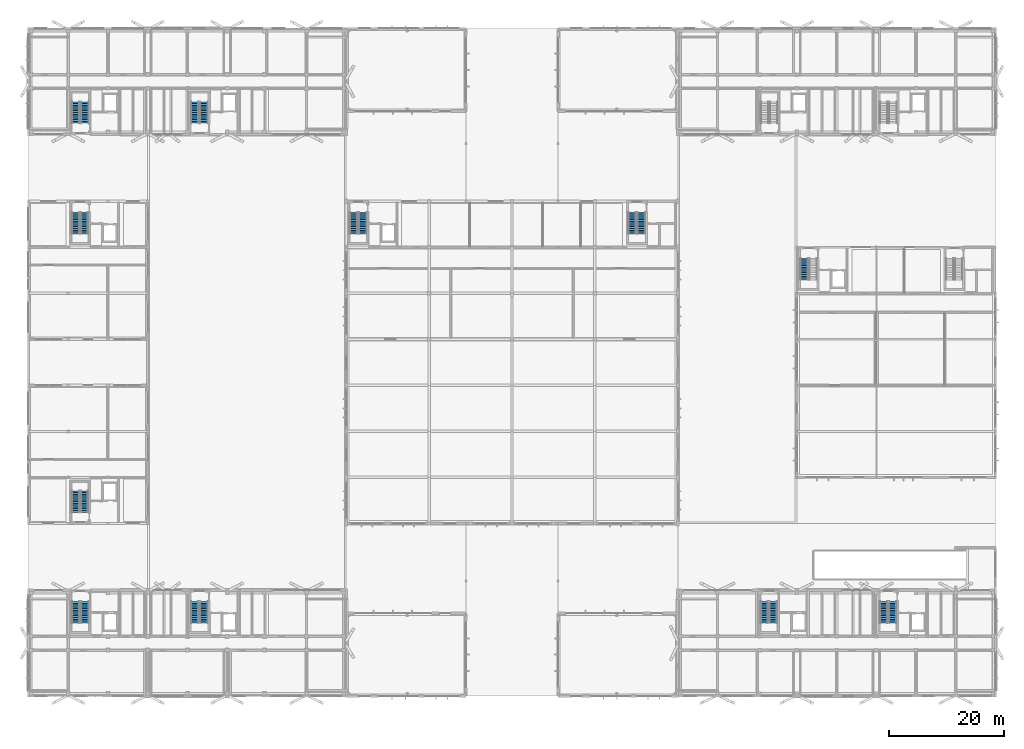
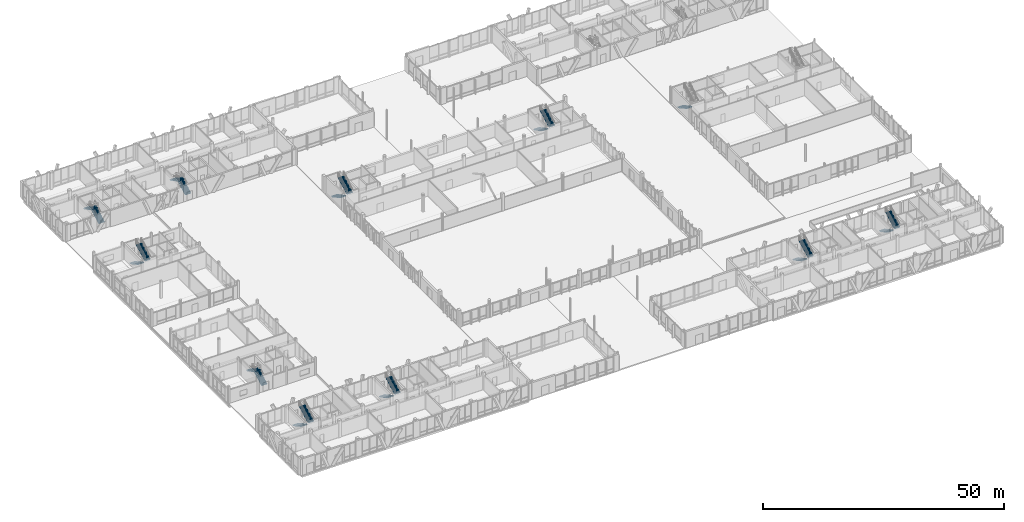
# One storey, part 206 of 233: 21 stair flights, 11 elements without a shape of their own.
"""IFC4 building model written with IfcOpenShell, lengths in metres."""

import ifcopenshell
import ifcopenshell.guid

model = None  # the IFC model being written
_history = None  # IfcOwnerHistory: only IFC2X3 demands one
_inside = {}  # id of a spatial element -> (the spatial element, [elements in it])
_under = {}  # id of a project, library or spatial element -> (it, [spatial elements below it])
_declared = {}  # id of a project -> (the project, [libraries it declares])
_typed = {}  # id of a type object -> (the type object, [elements of that type])
_made_of = {}  # id of a material, layer set ... -> (it, [elements and type objects made of it])


def new_model(schema):
    """Start an empty IFC model of exactly this schema.

    Asked for "IFC4X3", IfcOpenShell would pick the latest addendum, in which some entities
    have other attributes; the version numbers below select the first issue.
    IFC2X3 requires an IfcOwnerHistory on every rooted entity: one is made here for all.
    """
    global model, _history
    if schema == "IFC4X3":
        model = ifcopenshell.file(schema_version=(4, 3, 0, 0))
    else:
        model = ifcopenshell.file(schema=schema)
    _inside.clear()
    _under.clear()
    _declared.clear()
    _typed.clear()
    _made_of.clear()
    _history = None
    if model.schema == "IFC2X3":
        org = make("IfcOrganization", Name="unknown")
        user = make(
            "IfcPersonAndOrganization",
            ThePerson=make("IfcPerson", FamilyName="unknown"),
            TheOrganization=org,
        )
        app = make(
            "IfcApplication",
            ApplicationDeveloper=org,
            Version="unknown",
            ApplicationFullName="unknown",
            ApplicationIdentifier="unknown",
        )
        _history = make(
            "IfcOwnerHistory",
            OwningUser=user,
            OwningApplication=app,
            ChangeAction="ADDED",
            CreationDate=0,
        )
    return model


def make(cls, **values):
    """One entity of the class cls with the attributes given. An attribute that is None is left unset."""
    return model.create_entity(
        cls, **{name: value for name, value in values.items() if value is not None}
    )


def rooted(cls, **values):
    """An entity with a GlobalId (a new one), such as an element, a storey or a relation."""
    return make(cls, GlobalId=ifcopenshell.guid.new(), OwnerHistory=_history, **values)


def si_unit(unit_type, name, prefix=None):
    """IfcSIUnit, for example si_unit("LENGTHUNIT", "METRE", prefix="MILLI")."""
    return make("IfcSIUnit", UnitType=unit_type, Prefix=prefix, Name=name)


def assignment(units):
    """IfcUnitAssignment: the units of a project."""
    return None if units is None else make("IfcUnitAssignment", Units=units)


def point(xyz):
    """IfcCartesianPoint."""
    return None if xyz is None else make("IfcCartesianPoint", Coordinates=xyz)


def direction(xyz):
    """IfcDirection."""
    return None if xyz is None else make("IfcDirection", DirectionRatios=xyz)


def frame(location, z_axis=None, x_axis=None):
    """IfcAxis2Placement3D, a coordinate frame: its origin and axes. An axis left out is left unset."""
    return make(
        "IfcAxis2Placement3D",
        Location=point(location),
        Axis=direction(z_axis),
        RefDirection=direction(x_axis),
    )


def origin():
    """The frame at (0, 0, 0) with its axes left unset."""
    return frame((0.0, 0.0, 0.0))


def place(relative_to, where):
    """IfcLocalPlacement: puts the frame where relative to a parent placement (None: the world)."""
    return make(
        "IfcLocalPlacement", PlacementRelTo=relative_to, RelativePlacement=where
    )


def context(
    kind, dimensions, precision=None, world=None, true_north=None, identifier=None
):
    """IfcGeometricRepresentationContext, for example the 3D "Model" context."""
    return make(
        "IfcGeometricRepresentationContext",
        ContextIdentifier=identifier,
        ContextType=kind,
        CoordinateSpaceDimension=dimensions,
        Precision=precision,
        WorldCoordinateSystem=world,
        TrueNorth=true_north,
    )


def subcontext(parent, identifier, kind, view, scale=None):
    """IfcGeometricRepresentationSubContext, for example "Body" below "Model"."""
    return make(
        "IfcGeometricRepresentationSubContext",
        ContextIdentifier=identifier,
        ContextType=kind,
        ParentContext=parent,
        TargetScale=scale,
        TargetView=view,
    )


def project(units=None, contexts=None):
    """IfcProject with its units and contexts."""
    return rooted(
        "IfcProject",
        Name="project",
        RepresentationContexts=contexts,
        UnitsInContext=assignment(units),
    )


def spatial(cls, under=None, at=None, **own):
    """A site, building, storey or space (cls), placed at a placement, below another one or the project."""
    s = rooted(cls, ObjectPlacement=at, **own)
    if under is not None:
        _under.setdefault(under.id(), (under, []))[1].append(s)
    return s


def polyline(points):
    """IfcPolyline through the points."""
    return make("IfcPolyline", Points=[point(p) for p in points])


def outline(outer, holes=None, kind="AREA"):
    """IfcArbitraryClosedProfileDef: a profile drawn as a closed curve; with holes, ...WithVoids."""
    if holes is None:
        return make("IfcArbitraryClosedProfileDef", ProfileType=kind, OuterCurve=outer)
    return make(
        "IfcArbitraryProfileDefWithVoids",
        ProfileType=kind,
        OuterCurve=outer,
        InnerCurves=holes,
    )


def extrude(swept, where, along, depth):
    """IfcExtrudedAreaSolid: the profile swept, set in the frame where, extruded along a direction by depth."""
    return make(
        "IfcExtrudedAreaSolid",
        SweptArea=swept,
        Position=where,
        ExtrudedDirection=direction(along),
        Depth=depth,
    )


def shape(context_of_items, identifier, shape_type, items):
    """IfcShapeRepresentation: the items that make up one representation, for example the "Body"."""
    return make(
        "IfcShapeRepresentation",
        ContextOfItems=context_of_items,
        RepresentationIdentifier=identifier,
        RepresentationType=shape_type,
        Items=items,
    )


def material(Name=None, Category=None):
    """IfcMaterial."""
    return make("IfcMaterial", Name=Name, Category=Category)


def made_of(thing, what):
    """Note that an element or type object is made of a material, layer set ...; save() writes the relation."""
    if what is not None:
        _made_of.setdefault(what.id(), (what, []))[1].append(thing)
    return thing


def type_object(cls, material=None, **own):
    """A type object (cls), such as IfcWallType, which elements share."""
    return made_of(rooted(cls, **own), material)


def element(
    cls,
    number,
    at=None,
    inside=None,
    cuts=None,
    type_object=None,
    material=None,
    context=None,
    identifier="Body",
    shape_type=None,
    held_by="IfcProductDefinitionShape",
    body=None,
    shapes=None,
    **own,
):
    """One element of the class cls, such as IfcWall. Its Tag is "e" and its number.

    at: its placement. inside: the storey or other place that contains it. cuts: it is an
    opening in that element (IfcRelVoidsElement). A single representation is given by context,
    identifier, shape_type and body (its items); several are given by shapes. held_by: the class
    of the entity that holds the representations. save() writes the other relations.
    """
    e = rooted(cls, Tag="e%d" % number, ObjectPlacement=at, **own)
    if body is not None:
        shapes = [shape(context, identifier, shape_type, body)]
    if shapes is not None:
        e.Representation = make(held_by, Representations=shapes)
    if inside is not None:
        _inside.setdefault(inside.id(), (inside, []))[1].append(e)
    if cuts is not None:
        rooted(
            "IfcRelVoidsElement", RelatingBuildingElement=cuts, RelatedOpeningElement=e
        )
    if type_object is not None:
        _typed.setdefault(type_object.id(), (type_object, []))[1].append(e)
    return made_of(e, material)


def aggregate(whole, parts):
    """IfcRelAggregates: a whole, such as a stair, and the parts it consists of."""
    return rooted("IfcRelAggregates", RelatingObject=whole, RelatedObjects=parts)


def save(model, path):
    """Write the relations noted so far, then the file.

    IfcRelAggregates (storeys below a building ...), IfcRelContainedInSpatialStructure (elements
    in a storey), IfcRelDefinesByType, IfcRelAssociatesMaterial and IfcRelDeclares: one each for
    every whole, place, type object, material and project.
    """
    for whole, parts in _under.values():
        aggregate(whole, parts)
    for where, things in _inside.values():
        rooted(
            "IfcRelContainedInSpatialStructure",
            RelatedElements=things,
            RelatingStructure=where,
        )
    for kind, things in _typed.values():
        rooted("IfcRelDefinesByType", RelatedObjects=things, RelatingType=kind)
    for what, things in _made_of.values():
        rooted("IfcRelAssociatesMaterial", RelatedObjects=things, RelatingMaterial=what)
    for by, libraries in _declared.values():
        rooted("IfcRelDeclares", RelatingContext=by, RelatedDefinitions=libraries)
    model.write(path)


model = new_model("IFC4")

# Units and contexts
model_context = context("Model", 3, precision=1e-05, world=origin(), true_north=direction((0.0, 1.0)))
body_context = subcontext(model_context, "Body", "Model", "MODEL_VIEW")
ifc_project = project(units=[si_unit("LENGTHUNIT", "METRE"), si_unit("AREAUNIT", "SQUARE_METRE"), si_unit("VOLUMEUNIT", "CUBIC_METRE"), si_unit("PLANEANGLEUNIT", "RADIAN"), si_unit("MASSUNIT", "GRAM", prefix="KILO")], contexts=[model_context])

# Site, building, storey
site_placement = place(None, origin())
site = spatial("IfcSite", under=ifc_project, at=site_placement, CompositionType="ELEMENT")
building_placement = place(site_placement, origin())
building = spatial("IfcBuilding", under=site, at=building_placement, Name="Zavelmont Quarter", CompositionType="ELEMENT")
storey_placement = place(building_placement, origin())
storey = spatial("IfcBuildingStorey", under=building, at=storey_placement, Name="L00", CompositionType="ELEMENT", Elevation=0.0)

# Stair, stair flights
ifc_material = material(Name="Concrete C35/45", Category="concrete")
stair_type_1 = type_object("IfcStairType", Name="STR-1350-1692", PredefinedType="HALF_TURN_STAIR", material=ifc_material)
stair_1_placement = place(storey_placement, origin())
stair_1 = element("IfcStair", 1, at=stair_1_placement, inside=storey, type_object=stair_type_1, Name="L00 protected stair ST07", PredefinedType="HALF_TURN_STAIR")
stair_flight_type_1 = type_object("IfcStairFlightType", Name="STF-1350-1692", PredefinedType="STRAIGHT", material=ifc_material)
stair_flight_1_placement = place(storey_placement, frame((127.875, 16.449951171875, 0.0), z_axis=(0.0, 0.0, 1.0), x_axis=(0.0, -1.0, 0.0)))
stair_flight_1 = element("IfcStairFlight", 2, at=stair_flight_1_placement, type_object=stair_flight_type_1, Name="ST07 flight 1", NumberOfRisers=13, NumberOfTreads=12, PredefinedType="STRAIGHT", RiserHeight=0.169230769, TreadLength=0.31, context=body_context, shape_type="SweptSolid", body=[
    extrude(outline(polyline([(0.0, 0.0), (0.0, 0.169189453125), (0.31005859375, 0.169189453125), (0.31005859375, 0.33837890625), (0.6201171875, 0.33837890625), (0.6201171875, 0.5078125), (0.929931640625, 0.5078125), (0.929931640625, 0.677001953125), (1.239990234375, 0.677001953125), (1.239990234375, 0.84619140625), (1.550048828125, 0.84619140625), (1.550048828125, 1.015380859375), (1.860107421875, 1.015380859375), (1.860107421875, 1.1845703125), (2.169921875, 1.1845703125), (2.169921875, 1.353759765625), (2.47998046875, 1.353759765625), (2.47998046875, 1.523193359375), (2.7900390625, 1.523193359375), (2.7900390625, 1.6923828125), (3.10009765625, 1.6923828125), (3.10009765625, 1.861572265625), (3.409912109375, 1.861572265625), (3.409912109375, 2.03076171875), (3.719970703125, 2.03076171875), (3.719970703125, 2.199951171875), (3.719970703125, 1.8486328125), (0.333740234375, 0.0), (0.0, 0.0)])), frame((0.0, 0.675048828125, 0.0), z_axis=(0.0, -1.0, 0.0), x_axis=(1.0, 0.0, 0.0)), (0.0, 0.0, 1.0), 1.35009765625),
])
stair_flight_2_placement = place(storey_placement, frame((129.425048828125, 12.72998046875, 2.199951171875), z_axis=(0.0, 0.0, 1.0), x_axis=(0.0, 1.0, 0.0)))
stair_flight_2 = element("IfcStairFlight", 3, at=stair_flight_2_placement, type_object=stair_flight_type_1, Name="ST07 flight 2", NumberOfRisers=13, NumberOfTreads=12, PredefinedType="STRAIGHT", RiserHeight=0.169230769, TreadLength=0.31, context=body_context, shape_type="SweptSolid", body=[
    extrude(outline(polyline([(0.0, 0.0), (0.0, 0.169189453125), (0.31005859375, 0.169189453125), (0.31005859375, 0.33837890625), (0.6201171875, 0.33837890625), (0.6201171875, 0.5078125), (0.929931640625, 0.5078125), (0.929931640625, 0.677001953125), (1.239990234375, 0.677001953125), (1.239990234375, 0.84619140625), (1.550048828125, 0.84619140625), (1.550048828125, 1.015380859375), (1.860107421875, 1.015380859375), (1.860107421875, 1.1845703125), (2.169921875, 1.1845703125), (2.169921875, 1.353759765625), (2.47998046875, 1.353759765625), (2.47998046875, 1.523193359375), (2.7900390625, 1.523193359375), (2.7900390625, 1.6923828125), (3.10009765625, 1.6923828125), (3.10009765625, 1.861572265625), (3.409912109375, 1.861572265625), (3.409912109375, 2.03076171875), (3.719970703125, 2.03076171875), (3.719970703125, 2.199951171875), (3.719970703125, 1.8486328125), (0.333740234375, 0.0), (0.0, 0.0)])), frame((0.0, 0.675048828125, 0.0), z_axis=(0.0, -1.0, 0.0), x_axis=(1.0, 0.0, 0.0)), (0.0, 0.0, 1.0), 1.35009765625),
])
aggregate(stair_1, [stair_flight_1, stair_flight_2])

stair_2_placement = place(storey_placement, origin())
stair_2 = element("IfcStair", 4, at=stair_2_placement, inside=storey, type_object=stair_type_1, Name="L00 protected stair ST08", PredefinedType="HALF_TURN_STAIR")
stair_flight_3_placement = place(storey_placement, frame((148.574951171875, 16.449951171875, 0.0), z_axis=(0.0, 0.0, 1.0), x_axis=(0.0, -1.0, 0.0)))
stair_flight_3 = element("IfcStairFlight", 5, at=stair_flight_3_placement, type_object=stair_flight_type_1, Name="ST08 flight 1", NumberOfRisers=13, NumberOfTreads=12, PredefinedType="STRAIGHT", RiserHeight=0.169230769, TreadLength=0.31, context=body_context, shape_type="SweptSolid", body=[
    extrude(outline(polyline([(0.0, 0.0), (0.0, 0.169189453125), (0.31005859375, 0.169189453125), (0.31005859375, 0.33837890625), (0.6201171875, 0.33837890625), (0.6201171875, 0.5078125), (0.929931640625, 0.5078125), (0.929931640625, 0.677001953125), (1.239990234375, 0.677001953125), (1.239990234375, 0.84619140625), (1.550048828125, 0.84619140625), (1.550048828125, 1.015380859375), (1.860107421875, 1.015380859375), (1.860107421875, 1.1845703125), (2.169921875, 1.1845703125), (2.169921875, 1.353759765625), (2.47998046875, 1.353759765625), (2.47998046875, 1.523193359375), (2.7900390625, 1.523193359375), (2.7900390625, 1.6923828125), (3.10009765625, 1.6923828125), (3.10009765625, 1.861572265625), (3.409912109375, 1.861572265625), (3.409912109375, 2.03076171875), (3.719970703125, 2.03076171875), (3.719970703125, 2.199951171875), (3.719970703125, 1.8486328125), (0.333740234375, 0.0), (0.0, 0.0)])), frame((0.0, 0.675048828125, 0.0), z_axis=(0.0, -1.0, 0.0), x_axis=(1.0, 0.0, 0.0)), (0.0, 0.0, 1.0), 1.35009765625),
])
stair_flight_4_placement = place(storey_placement, frame((150.125, 12.72998046875, 2.199951171875), z_axis=(0.0, 0.0, 1.0), x_axis=(0.0, 1.0, 0.0)))
stair_flight_4 = element("IfcStairFlight", 6, at=stair_flight_4_placement, type_object=stair_flight_type_1, Name="ST08 flight 2", NumberOfRisers=13, NumberOfTreads=12, PredefinedType="STRAIGHT", RiserHeight=0.169230769, TreadLength=0.31, context=body_context, shape_type="SweptSolid", body=[
    extrude(outline(polyline([(0.0, 0.0), (0.0, 0.169189453125), (0.31005859375, 0.169189453125), (0.31005859375, 0.33837890625), (0.6201171875, 0.33837890625), (0.6201171875, 0.5078125), (0.929931640625, 0.5078125), (0.929931640625, 0.677001953125), (1.239990234375, 0.677001953125), (1.239990234375, 0.84619140625), (1.550048828125, 0.84619140625), (1.550048828125, 1.015380859375), (1.860107421875, 1.015380859375), (1.860107421875, 1.1845703125), (2.169921875, 1.1845703125), (2.169921875, 1.353759765625), (2.47998046875, 1.353759765625), (2.47998046875, 1.523193359375), (2.7900390625, 1.523193359375), (2.7900390625, 1.6923828125), (3.10009765625, 1.6923828125), (3.10009765625, 1.861572265625), (3.409912109375, 1.861572265625), (3.409912109375, 2.03076171875), (3.719970703125, 2.03076171875), (3.719970703125, 2.199951171875), (3.719970703125, 1.8486328125), (0.333740234375, 0.0), (0.0, 0.0)])), frame((0.0, 0.675048828125, 0.0), z_axis=(0.0, -1.0, 0.0), x_axis=(1.0, 0.0, 0.0)), (0.0, 0.0, 1.0), 1.35009765625),
])
aggregate(stair_2, [stair_flight_3, stair_flight_4])

# Stair, stair flight
stair_3_placement = place(storey_placement, origin())
stair_3 = element("IfcStair", 7, at=stair_3_placement, inside=storey, type_object=stair_type_1, Name="L00 protected stair ST11", PredefinedType="HALF_TURN_STAIR")
stair_flight_5_placement = place(storey_placement, frame((134.77490234375, 76.050048828125, 0.0), z_axis=(0.0, 0.0, 1.0), x_axis=(0.0, -1.0, 0.0)))
stair_flight_5 = element("IfcStairFlight", 8, at=stair_flight_5_placement, type_object=stair_flight_type_1, Name="ST11 flight 1", NumberOfRisers=13, NumberOfTreads=12, PredefinedType="STRAIGHT", RiserHeight=0.169230769, TreadLength=0.31, context=body_context, shape_type="SweptSolid", body=[
    extrude(outline(polyline([(0.0, 0.0), (0.0, 0.169189453125), (0.31005859375, 0.169189453125), (0.31005859375, 0.33837890625), (0.6201171875, 0.33837890625), (0.6201171875, 0.5078125), (0.929931640625, 0.5078125), (0.929931640625, 0.677001953125), (1.239990234375, 0.677001953125), (1.239990234375, 0.84619140625), (1.550048828125, 0.84619140625), (1.550048828125, 1.015380859375), (1.860107421875, 1.015380859375), (1.860107421875, 1.1845703125), (2.169921875, 1.1845703125), (2.169921875, 1.353759765625), (2.47998046875, 1.353759765625), (2.47998046875, 1.523193359375), (2.7900390625, 1.523193359375), (2.7900390625, 1.6923828125), (3.10009765625, 1.6923828125), (3.10009765625, 1.861572265625), (3.409912109375, 1.861572265625), (3.409912109375, 2.03076171875), (3.719970703125, 2.03076171875), (3.719970703125, 2.199951171875), (3.719970703125, 1.8486328125), (0.333740234375, 0.0), (0.0, 0.0)])), frame((0.0, 0.675048828125, 0.0), z_axis=(0.0, -1.0, 0.0), x_axis=(1.0, 0.0, 0.0)), (0.0, 0.0, 1.0), 1.35009765625),
])
aggregate(stair_3, [stair_flight_5])

# Stair, stair flights
stair_4_placement = place(storey_placement, origin())
stair_4 = element("IfcStair", 9, at=stair_4_placement, inside=storey, type_object=stair_type_1, Name="L00 protected stair ST13", PredefinedType="HALF_TURN_STAIR")
stair_flight_6_placement = place(storey_placement, frame((9.72509765625, 31.949951171875, 0.0), z_axis=(0.0, 0.0, 1.0), x_axis=(0.0, 1.0, 0.0)))
stair_flight_6 = element("IfcStairFlight", 10, at=stair_flight_6_placement, type_object=stair_flight_type_1, Name="ST13 flight 1", NumberOfRisers=13, NumberOfTreads=12, PredefinedType="STRAIGHT", RiserHeight=0.169230769, TreadLength=0.31, context=body_context, shape_type="SweptSolid", body=[
    extrude(outline(polyline([(0.0, 0.0), (0.0, 0.169189453125), (0.31005859375, 0.169189453125), (0.31005859375, 0.33837890625), (0.6201171875, 0.33837890625), (0.6201171875, 0.5078125), (0.929931640625, 0.5078125), (0.929931640625, 0.677001953125), (1.239990234375, 0.677001953125), (1.239990234375, 0.84619140625), (1.550048828125, 0.84619140625), (1.550048828125, 1.015380859375), (1.860107421875, 1.015380859375), (1.860107421875, 1.1845703125), (2.169921875, 1.1845703125), (2.169921875, 1.353759765625), (2.47998046875, 1.353759765625), (2.47998046875, 1.523193359375), (2.7900390625, 1.523193359375), (2.7900390625, 1.6923828125), (3.10009765625, 1.6923828125), (3.10009765625, 1.861572265625), (3.409912109375, 1.861572265625), (3.409912109375, 2.03076171875), (3.719970703125, 2.03076171875), (3.719970703125, 2.199951171875), (3.719970703125, 1.8486328125), (0.333740234375, 0.0), (0.0, 0.0)])), frame((0.0, 0.675048828125, 0.0), z_axis=(0.0, -1.0, 0.0), x_axis=(1.0, 0.0, 0.0)), (0.0, 0.0, 1.0), 1.35009765625),
])
stair_flight_7_placement = place(storey_placement, frame((8.175048828125, 35.669921875, 2.199951171875), z_axis=(0.0, 0.0, 1.0), x_axis=(0.0, -1.0, 0.0)))
stair_flight_7 = element("IfcStairFlight", 11, at=stair_flight_7_placement, type_object=stair_flight_type_1, Name="ST13 flight 2", NumberOfRisers=13, NumberOfTreads=12, PredefinedType="STRAIGHT", RiserHeight=0.169230769, TreadLength=0.31, context=body_context, shape_type="SweptSolid", body=[
    extrude(outline(polyline([(0.0, 0.0), (0.0, 0.169189453125), (0.31005859375, 0.169189453125), (0.31005859375, 0.33837890625), (0.6201171875, 0.33837890625), (0.6201171875, 0.5078125), (0.929931640625, 0.5078125), (0.929931640625, 0.677001953125), (1.239990234375, 0.677001953125), (1.239990234375, 0.84619140625), (1.550048828125, 0.84619140625), (1.550048828125, 1.015380859375), (1.860107421875, 1.015380859375), (1.860107421875, 1.1845703125), (2.169921875, 1.1845703125), (2.169921875, 1.353759765625), (2.47998046875, 1.353759765625), (2.47998046875, 1.523193359375), (2.7900390625, 1.523193359375), (2.7900390625, 1.6923828125), (3.10009765625, 1.6923828125), (3.10009765625, 1.861572265625), (3.409912109375, 1.861572265625), (3.409912109375, 2.03076171875), (3.719970703125, 2.03076171875), (3.719970703125, 2.199951171875), (3.719970703125, 1.8486328125), (0.333740234375, 0.0), (0.0, 0.0)])), frame((0.0, 0.675048828125, 0.0), z_axis=(0.0, -1.0, 0.0), x_axis=(1.0, 0.0, 0.0)), (0.0, 0.0, 1.0), 1.35009765625),
])
aggregate(stair_4, [stair_flight_6, stair_flight_7])

stair_5_placement = place(storey_placement, origin())
stair_5 = element("IfcStair", 12, at=stair_5_placement, inside=storey, type_object=stair_type_1, Name="L00 protected stair ST14", PredefinedType="HALF_TURN_STAIR")
stair_flight_8_placement = place(storey_placement, frame((8.175048828125, 84.050048828125, 0.0), z_axis=(0.0, 0.0, 1.0), x_axis=(0.0, -1.0, 0.0)))
stair_flight_8 = element("IfcStairFlight", 13, at=stair_flight_8_placement, type_object=stair_flight_type_1, Name="ST14 flight 1", NumberOfRisers=13, NumberOfTreads=12, PredefinedType="STRAIGHT", RiserHeight=0.169230769, TreadLength=0.31, context=body_context, shape_type="SweptSolid", body=[
    extrude(outline(polyline([(0.0, 0.0), (0.0, 0.169189453125), (0.31005859375, 0.169189453125), (0.31005859375, 0.33837890625), (0.6201171875, 0.33837890625), (0.6201171875, 0.5078125), (0.929931640625, 0.5078125), (0.929931640625, 0.677001953125), (1.239990234375, 0.677001953125), (1.239990234375, 0.84619140625), (1.550048828125, 0.84619140625), (1.550048828125, 1.015380859375), (1.860107421875, 1.015380859375), (1.860107421875, 1.1845703125), (2.169921875, 1.1845703125), (2.169921875, 1.353759765625), (2.47998046875, 1.353759765625), (2.47998046875, 1.523193359375), (2.7900390625, 1.523193359375), (2.7900390625, 1.6923828125), (3.10009765625, 1.6923828125), (3.10009765625, 1.861572265625), (3.409912109375, 1.861572265625), (3.409912109375, 2.03076171875), (3.719970703125, 2.03076171875), (3.719970703125, 2.199951171875), (3.719970703125, 1.8486328125), (0.333740234375, 0.0), (0.0, 0.0)])), frame((0.0, 0.675048828125, 0.0), z_axis=(0.0, -1.0, 0.0), x_axis=(1.0, 0.0, 0.0)), (0.0, 0.0, 1.0), 1.35009765625),
])
stair_flight_9_placement = place(storey_placement, frame((9.72509765625, 80.330078125, 2.199951171875), z_axis=(0.0, 0.0, 1.0), x_axis=(0.0, 1.0, 0.0)))
stair_flight_9 = element("IfcStairFlight", 14, at=stair_flight_9_placement, type_object=stair_flight_type_1, Name="ST14 flight 2", NumberOfRisers=13, NumberOfTreads=12, PredefinedType="STRAIGHT", RiserHeight=0.169230769, TreadLength=0.31, context=body_context, shape_type="SweptSolid", body=[
    extrude(outline(polyline([(0.0, 0.0), (0.0, 0.169189453125), (0.31005859375, 0.169189453125), (0.31005859375, 0.33837890625), (0.6201171875, 0.33837890625), (0.6201171875, 0.5078125), (0.929931640625, 0.5078125), (0.929931640625, 0.677001953125), (1.239990234375, 0.677001953125), (1.239990234375, 0.84619140625), (1.550048828125, 0.84619140625), (1.550048828125, 1.015380859375), (1.860107421875, 1.015380859375), (1.860107421875, 1.1845703125), (2.169921875, 1.1845703125), (2.169921875, 1.353759765625), (2.47998046875, 1.353759765625), (2.47998046875, 1.523193359375), (2.7900390625, 1.523193359375), (2.7900390625, 1.6923828125), (3.10009765625, 1.6923828125), (3.10009765625, 1.861572265625), (3.409912109375, 1.861572265625), (3.409912109375, 2.03076171875), (3.719970703125, 2.03076171875), (3.719970703125, 2.199951171875), (3.719970703125, 1.8486328125), (0.333740234375, 0.0), (0.0, 0.0)])), frame((0.0, 0.675048828125, 0.0), z_axis=(0.0, -1.0, 0.0), x_axis=(1.0, 0.0, 0.0)), (0.0, 0.0, 1.0), 1.35009765625),
])
aggregate(stair_5, [stair_flight_8, stair_flight_9])

stair_type_2 = type_object("IfcStairType", Name="STR-1400-1692", PredefinedType="HALF_TURN_STAIR", material=ifc_material)
stair_6_placement = place(storey_placement, origin())
stair_6 = element("IfcStair", 15, at=stair_6_placement, inside=storey, type_object=stair_type_2, Name="L00 protected stair ST01", PredefinedType="HALF_TURN_STAIR")
stair_flight_type_2 = type_object("IfcStairFlightType", Name="STF-1400-1692", PredefinedType="STRAIGHT", material=ifc_material)
stair_flight_10_placement = place(storey_placement, frame((8.199951171875, 16.449951171875, 0.0), z_axis=(0.0, 0.0, 1.0), x_axis=(0.0, -1.0, 0.0)))
stair_flight_10 = element("IfcStairFlight", 16, at=stair_flight_10_placement, type_object=stair_flight_type_2, Name="ST01 flight 1", NumberOfRisers=13, NumberOfTreads=12, PredefinedType="STRAIGHT", RiserHeight=0.169230769, TreadLength=0.31, context=body_context, shape_type="SweptSolid", body=[
    extrude(outline(polyline([(0.0, 0.0), (0.0, 0.169189453125), (0.31005859375, 0.169189453125), (0.31005859375, 0.33837890625), (0.6201171875, 0.33837890625), (0.6201171875, 0.5078125), (0.929931640625, 0.5078125), (0.929931640625, 0.677001953125), (1.239990234375, 0.677001953125), (1.239990234375, 0.84619140625), (1.550048828125, 0.84619140625), (1.550048828125, 1.015380859375), (1.860107421875, 1.015380859375), (1.860107421875, 1.1845703125), (2.169921875, 1.1845703125), (2.169921875, 1.353759765625), (2.47998046875, 1.353759765625), (2.47998046875, 1.523193359375), (2.7900390625, 1.523193359375), (2.7900390625, 1.6923828125), (3.10009765625, 1.6923828125), (3.10009765625, 1.861572265625), (3.409912109375, 1.861572265625), (3.409912109375, 2.03076171875), (3.719970703125, 2.03076171875), (3.719970703125, 2.199951171875), (3.719970703125, 1.8486328125), (0.333740234375, 0.0), (0.0, 0.0)])), frame((0.0, 0.699951171875, 0.0), z_axis=(0.0, -1.0, 0.0), x_axis=(1.0, 0.0, 0.0)), (0.0, 0.0, 1.0), 1.39990234375),
])
stair_flight_11_placement = place(storey_placement, frame((9.800048828125, 12.72998046875, 2.199951171875), z_axis=(0.0, 0.0, 1.0), x_axis=(0.0, 1.0, 0.0)))
stair_flight_11 = element("IfcStairFlight", 17, at=stair_flight_11_placement, type_object=stair_flight_type_2, Name="ST01 flight 2", NumberOfRisers=13, NumberOfTreads=12, PredefinedType="STRAIGHT", RiserHeight=0.169230769, TreadLength=0.31, context=body_context, shape_type="SweptSolid", body=[
    extrude(outline(polyline([(0.0, 0.0), (0.0, 0.169189453125), (0.31005859375, 0.169189453125), (0.31005859375, 0.33837890625), (0.6201171875, 0.33837890625), (0.6201171875, 0.5078125), (0.929931640625, 0.5078125), (0.929931640625, 0.677001953125), (1.239990234375, 0.677001953125), (1.239990234375, 0.84619140625), (1.550048828125, 0.84619140625), (1.550048828125, 1.015380859375), (1.860107421875, 1.015380859375), (1.860107421875, 1.1845703125), (2.169921875, 1.1845703125), (2.169921875, 1.353759765625), (2.47998046875, 1.353759765625), (2.47998046875, 1.523193359375), (2.7900390625, 1.523193359375), (2.7900390625, 1.6923828125), (3.10009765625, 1.6923828125), (3.10009765625, 1.861572265625), (3.409912109375, 1.861572265625), (3.409912109375, 2.03076171875), (3.719970703125, 2.03076171875), (3.719970703125, 2.199951171875), (3.719970703125, 1.8486328125), (0.333740234375, 0.0), (0.0, 0.0)])), frame((0.0, 0.699951171875, 0.0), z_axis=(0.0, -1.0, 0.0), x_axis=(1.0, 0.0, 0.0)), (0.0, 0.0, 1.0), 1.39990234375),
])
aggregate(stair_6, [stair_flight_10, stair_flight_11])

stair_7_placement = place(storey_placement, origin())
stair_7 = element("IfcStair", 18, at=stair_7_placement, inside=storey, type_object=stair_type_2, Name="L00 protected stair ST02", PredefinedType="HALF_TURN_STAIR")
stair_flight_12_placement = place(storey_placement, frame((28.89990234375, 16.449951171875, 0.0), z_axis=(0.0, 0.0, 1.0), x_axis=(0.0, -1.0, 0.0)))
stair_flight_12 = element("IfcStairFlight", 19, at=stair_flight_12_placement, type_object=stair_flight_type_2, Name="ST02 flight 1", NumberOfRisers=13, NumberOfTreads=12, PredefinedType="STRAIGHT", RiserHeight=0.169230769, TreadLength=0.31, context=body_context, shape_type="SweptSolid", body=[
    extrude(outline(polyline([(0.0, 0.0), (0.0, 0.169189453125), (0.31005859375, 0.169189453125), (0.31005859375, 0.33837890625), (0.6201171875, 0.33837890625), (0.6201171875, 0.5078125), (0.929931640625, 0.5078125), (0.929931640625, 0.677001953125), (1.239990234375, 0.677001953125), (1.239990234375, 0.84619140625), (1.550048828125, 0.84619140625), (1.550048828125, 1.015380859375), (1.860107421875, 1.015380859375), (1.860107421875, 1.1845703125), (2.169921875, 1.1845703125), (2.169921875, 1.353759765625), (2.47998046875, 1.353759765625), (2.47998046875, 1.523193359375), (2.7900390625, 1.523193359375), (2.7900390625, 1.6923828125), (3.10009765625, 1.6923828125), (3.10009765625, 1.861572265625), (3.409912109375, 1.861572265625), (3.409912109375, 2.03076171875), (3.719970703125, 2.03076171875), (3.719970703125, 2.199951171875), (3.719970703125, 1.8486328125), (0.333740234375, 0.0), (0.0, 0.0)])), frame((0.0, 0.699951171875, 0.0), z_axis=(0.0, -1.0, 0.0), x_axis=(1.0, 0.0, 0.0)), (0.0, 0.0, 1.0), 1.39990234375),
])
stair_flight_13_placement = place(storey_placement, frame((30.5, 12.72998046875, 2.199951171875), z_axis=(0.0, 0.0, 1.0), x_axis=(0.0, 1.0, 0.0)))
stair_flight_13 = element("IfcStairFlight", 20, at=stair_flight_13_placement, type_object=stair_flight_type_2, Name="ST02 flight 2", NumberOfRisers=13, NumberOfTreads=12, PredefinedType="STRAIGHT", RiserHeight=0.169230769, TreadLength=0.31, context=body_context, shape_type="SweptSolid", body=[
    extrude(outline(polyline([(0.0, 0.0), (0.0, 0.169189453125), (0.31005859375, 0.169189453125), (0.31005859375, 0.33837890625), (0.6201171875, 0.33837890625), (0.6201171875, 0.5078125), (0.929931640625, 0.5078125), (0.929931640625, 0.677001953125), (1.239990234375, 0.677001953125), (1.239990234375, 0.84619140625), (1.550048828125, 0.84619140625), (1.550048828125, 1.015380859375), (1.860107421875, 1.015380859375), (1.860107421875, 1.1845703125), (2.169921875, 1.1845703125), (2.169921875, 1.353759765625), (2.47998046875, 1.353759765625), (2.47998046875, 1.523193359375), (2.7900390625, 1.523193359375), (2.7900390625, 1.6923828125), (3.10009765625, 1.6923828125), (3.10009765625, 1.861572265625), (3.409912109375, 1.861572265625), (3.409912109375, 2.03076171875), (3.719970703125, 2.03076171875), (3.719970703125, 2.199951171875), (3.719970703125, 1.8486328125), (0.333740234375, 0.0), (0.0, 0.0)])), frame((0.0, 0.699951171875, 0.0), z_axis=(0.0, -1.0, 0.0), x_axis=(1.0, 0.0, 0.0)), (0.0, 0.0, 1.0), 1.39990234375),
])
aggregate(stair_7, [stair_flight_12, stair_flight_13])

stair_8_placement = place(storey_placement, origin())
stair_8 = element("IfcStair", 21, at=stair_8_placement, inside=storey, type_object=stair_type_2, Name="L00 protected stair ST03", PredefinedType="HALF_TURN_STAIR")
stair_flight_14_placement = place(storey_placement, frame((9.800048828125, 99.550048828125, 0.0), z_axis=(0.0, 0.0, 1.0), x_axis=(0.0, 1.0, 0.0)))
stair_flight_14 = element("IfcStairFlight", 22, at=stair_flight_14_placement, type_object=stair_flight_type_2, Name="ST03 flight 1", NumberOfRisers=13, NumberOfTreads=12, PredefinedType="STRAIGHT", RiserHeight=0.169230769, TreadLength=0.31, context=body_context, shape_type="SweptSolid", body=[
    extrude(outline(polyline([(0.0, 0.0), (0.0, 0.169189453125), (0.31005859375, 0.169189453125), (0.31005859375, 0.33837890625), (0.6201171875, 0.33837890625), (0.6201171875, 0.5078125), (0.929931640625, 0.5078125), (0.929931640625, 0.677001953125), (1.239990234375, 0.677001953125), (1.239990234375, 0.84619140625), (1.550048828125, 0.84619140625), (1.550048828125, 1.015380859375), (1.860107421875, 1.015380859375), (1.860107421875, 1.1845703125), (2.169921875, 1.1845703125), (2.169921875, 1.353759765625), (2.47998046875, 1.353759765625), (2.47998046875, 1.523193359375), (2.7900390625, 1.523193359375), (2.7900390625, 1.6923828125), (3.10009765625, 1.6923828125), (3.10009765625, 1.861572265625), (3.409912109375, 1.861572265625), (3.409912109375, 2.03076171875), (3.719970703125, 2.03076171875), (3.719970703125, 2.199951171875), (3.719970703125, 1.8486328125), (0.333740234375, 0.0), (0.0, 0.0)])), frame((0.0, 0.699951171875, 0.0), z_axis=(0.0, -1.0, 0.0), x_axis=(1.0, 0.0, 0.0)), (0.0, 0.0, 1.0), 1.39990234375),
])
stair_flight_15_placement = place(storey_placement, frame((8.199951171875, 103.27001953125, 2.199951171875), z_axis=(0.0, 0.0, 1.0), x_axis=(0.0, -1.0, 0.0)))
stair_flight_15 = element("IfcStairFlight", 23, at=stair_flight_15_placement, type_object=stair_flight_type_2, Name="ST03 flight 2", NumberOfRisers=13, NumberOfTreads=12, PredefinedType="STRAIGHT", RiserHeight=0.169230769, TreadLength=0.31, context=body_context, shape_type="SweptSolid", body=[
    extrude(outline(polyline([(0.0, 0.0), (0.0, 0.169189453125), (0.31005859375, 0.169189453125), (0.31005859375, 0.33837890625), (0.6201171875, 0.33837890625), (0.6201171875, 0.5078125), (0.929931640625, 0.5078125), (0.929931640625, 0.677001953125), (1.239990234375, 0.677001953125), (1.239990234375, 0.84619140625), (1.550048828125, 0.84619140625), (1.550048828125, 1.015380859375), (1.860107421875, 1.015380859375), (1.860107421875, 1.1845703125), (2.169921875, 1.1845703125), (2.169921875, 1.353759765625), (2.47998046875, 1.353759765625), (2.47998046875, 1.523193359375), (2.7900390625, 1.523193359375), (2.7900390625, 1.6923828125), (3.10009765625, 1.6923828125), (3.10009765625, 1.861572265625), (3.409912109375, 1.861572265625), (3.409912109375, 2.03076171875), (3.719970703125, 2.03076171875), (3.719970703125, 2.199951171875), (3.719970703125, 1.8486328125), (0.333740234375, 0.0), (0.0, 0.0)])), frame((0.0, 0.699951171875, 0.0), z_axis=(0.0, -1.0, 0.0), x_axis=(1.0, 0.0, 0.0)), (0.0, 0.0, 1.0), 1.39990234375),
])
aggregate(stair_8, [stair_flight_14, stair_flight_15])

stair_9_placement = place(storey_placement, origin())
stair_9 = element("IfcStair", 24, at=stair_9_placement, inside=storey, type_object=stair_type_2, Name="L00 protected stair ST04", PredefinedType="HALF_TURN_STAIR")
stair_flight_16_placement = place(storey_placement, frame((30.5, 99.550048828125, 0.0), z_axis=(0.0, 0.0, 1.0), x_axis=(0.0, 1.0, 0.0)))
stair_flight_16 = element("IfcStairFlight", 25, at=stair_flight_16_placement, type_object=stair_flight_type_2, Name="ST04 flight 1", NumberOfRisers=13, NumberOfTreads=12, PredefinedType="STRAIGHT", RiserHeight=0.169230769, TreadLength=0.31, context=body_context, shape_type="SweptSolid", body=[
    extrude(outline(polyline([(0.0, 0.0), (0.0, 0.169189453125), (0.31005859375, 0.169189453125), (0.31005859375, 0.33837890625), (0.6201171875, 0.33837890625), (0.6201171875, 0.5078125), (0.929931640625, 0.5078125), (0.929931640625, 0.677001953125), (1.239990234375, 0.677001953125), (1.239990234375, 0.84619140625), (1.550048828125, 0.84619140625), (1.550048828125, 1.015380859375), (1.860107421875, 1.015380859375), (1.860107421875, 1.1845703125), (2.169921875, 1.1845703125), (2.169921875, 1.353759765625), (2.47998046875, 1.353759765625), (2.47998046875, 1.523193359375), (2.7900390625, 1.523193359375), (2.7900390625, 1.6923828125), (3.10009765625, 1.6923828125), (3.10009765625, 1.861572265625), (3.409912109375, 1.861572265625), (3.409912109375, 2.03076171875), (3.719970703125, 2.03076171875), (3.719970703125, 2.199951171875), (3.719970703125, 1.8486328125), (0.333740234375, 0.0), (0.0, 0.0)])), frame((0.0, 0.699951171875, 0.0), z_axis=(0.0, -1.0, 0.0), x_axis=(1.0, 0.0, 0.0)), (0.0, 0.0, 1.0), 1.39990234375),
])
stair_flight_17_placement = place(storey_placement, frame((28.89990234375, 103.27001953125, 2.199951171875), z_axis=(0.0, 0.0, 1.0), x_axis=(0.0, -1.0, 0.0)))
stair_flight_17 = element("IfcStairFlight", 26, at=stair_flight_17_placement, type_object=stair_flight_type_2, Name="ST04 flight 2", NumberOfRisers=13, NumberOfTreads=12, PredefinedType="STRAIGHT", RiserHeight=0.169230769, TreadLength=0.31, context=body_context, shape_type="SweptSolid", body=[
    extrude(outline(polyline([(0.0, 0.0), (0.0, 0.169189453125), (0.31005859375, 0.169189453125), (0.31005859375, 0.33837890625), (0.6201171875, 0.33837890625), (0.6201171875, 0.5078125), (0.929931640625, 0.5078125), (0.929931640625, 0.677001953125), (1.239990234375, 0.677001953125), (1.239990234375, 0.84619140625), (1.550048828125, 0.84619140625), (1.550048828125, 1.015380859375), (1.860107421875, 1.015380859375), (1.860107421875, 1.1845703125), (2.169921875, 1.1845703125), (2.169921875, 1.353759765625), (2.47998046875, 1.353759765625), (2.47998046875, 1.523193359375), (2.7900390625, 1.523193359375), (2.7900390625, 1.6923828125), (3.10009765625, 1.6923828125), (3.10009765625, 1.861572265625), (3.409912109375, 1.861572265625), (3.409912109375, 2.03076171875), (3.719970703125, 2.03076171875), (3.719970703125, 2.199951171875), (3.719970703125, 1.8486328125), (0.333740234375, 0.0), (0.0, 0.0)])), frame((0.0, 0.699951171875, 0.0), z_axis=(0.0, -1.0, 0.0), x_axis=(1.0, 0.0, 0.0)), (0.0, 0.0, 1.0), 1.39990234375),
])
aggregate(stair_9, [stair_flight_16, stair_flight_17])

stair_10_placement = place(storey_placement, origin())
stair_10 = element("IfcStair", 27, at=stair_10_placement, inside=storey, type_object=stair_type_2, Name="L00 protected stair ST09", PredefinedType="HALF_TURN_STAIR")
stair_flight_18_placement = place(storey_placement, frame((56.5, 84.050048828125, 0.0), z_axis=(0.0, 0.0, 1.0), x_axis=(0.0, -1.0, 0.0)))
stair_flight_18 = element("IfcStairFlight", 28, at=stair_flight_18_placement, type_object=stair_flight_type_2, Name="ST09 flight 1", NumberOfRisers=13, NumberOfTreads=12, PredefinedType="STRAIGHT", RiserHeight=0.169230769, TreadLength=0.31, context=body_context, shape_type="SweptSolid", body=[
    extrude(outline(polyline([(0.0, 0.0), (0.0, 0.169189453125), (0.31005859375, 0.169189453125), (0.31005859375, 0.33837890625), (0.6201171875, 0.33837890625), (0.6201171875, 0.5078125), (0.929931640625, 0.5078125), (0.929931640625, 0.677001953125), (1.239990234375, 0.677001953125), (1.239990234375, 0.84619140625), (1.550048828125, 0.84619140625), (1.550048828125, 1.015380859375), (1.860107421875, 1.015380859375), (1.860107421875, 1.1845703125), (2.169921875, 1.1845703125), (2.169921875, 1.353759765625), (2.47998046875, 1.353759765625), (2.47998046875, 1.523193359375), (2.7900390625, 1.523193359375), (2.7900390625, 1.6923828125), (3.10009765625, 1.6923828125), (3.10009765625, 1.861572265625), (3.409912109375, 1.861572265625), (3.409912109375, 2.03076171875), (3.719970703125, 2.03076171875), (3.719970703125, 2.199951171875), (3.719970703125, 1.8486328125), (0.333740234375, 0.0), (0.0, 0.0)])), frame((0.0, 0.699951171875, 0.0), z_axis=(0.0, -1.0, 0.0), x_axis=(1.0, 0.0, 0.0)), (0.0, 0.0, 1.0), 1.39990234375),
])
stair_flight_19_placement = place(storey_placement, frame((58.10009765625, 80.330078125, 2.199951171875), z_axis=(0.0, 0.0, 1.0), x_axis=(0.0, 1.0, 0.0)))
stair_flight_19 = element("IfcStairFlight", 29, at=stair_flight_19_placement, type_object=stair_flight_type_2, Name="ST09 flight 2", NumberOfRisers=13, NumberOfTreads=12, PredefinedType="STRAIGHT", RiserHeight=0.169230769, TreadLength=0.31, context=body_context, shape_type="SweptSolid", body=[
    extrude(outline(polyline([(0.0, 0.0), (0.0, 0.169189453125), (0.31005859375, 0.169189453125), (0.31005859375, 0.33837890625), (0.6201171875, 0.33837890625), (0.6201171875, 0.5078125), (0.929931640625, 0.5078125), (0.929931640625, 0.677001953125), (1.239990234375, 0.677001953125), (1.239990234375, 0.84619140625), (1.550048828125, 0.84619140625), (1.550048828125, 1.015380859375), (1.860107421875, 1.015380859375), (1.860107421875, 1.1845703125), (2.169921875, 1.1845703125), (2.169921875, 1.353759765625), (2.47998046875, 1.353759765625), (2.47998046875, 1.523193359375), (2.7900390625, 1.523193359375), (2.7900390625, 1.6923828125), (3.10009765625, 1.6923828125), (3.10009765625, 1.861572265625), (3.409912109375, 1.861572265625), (3.409912109375, 2.03076171875), (3.719970703125, 2.03076171875), (3.719970703125, 2.199951171875), (3.719970703125, 1.8486328125), (0.333740234375, 0.0), (0.0, 0.0)])), frame((0.0, 0.699951171875, 0.0), z_axis=(0.0, -1.0, 0.0), x_axis=(1.0, 0.0, 0.0)), (0.0, 0.0, 1.0), 1.39990234375),
])
aggregate(stair_10, [stair_flight_18, stair_flight_19])

stair_11_placement = place(storey_placement, origin())
stair_11 = element("IfcStair", 30, at=stair_11_placement, inside=storey, type_object=stair_type_2, Name="L00 protected stair ST10", PredefinedType="HALF_TURN_STAIR")
stair_flight_20_placement = place(storey_placement, frame((104.89990234375, 84.050048828125, 0.0), z_axis=(0.0, 0.0, 1.0), x_axis=(0.0, -1.0, 0.0)))
stair_flight_20 = element("IfcStairFlight", 31, at=stair_flight_20_placement, type_object=stair_flight_type_2, Name="ST10 flight 1", NumberOfRisers=13, NumberOfTreads=12, PredefinedType="STRAIGHT", RiserHeight=0.169230769, TreadLength=0.31, context=body_context, shape_type="SweptSolid", body=[
    extrude(outline(polyline([(0.0, 0.0), (0.0, 0.169189453125), (0.31005859375, 0.169189453125), (0.31005859375, 0.33837890625), (0.6201171875, 0.33837890625), (0.6201171875, 0.5078125), (0.929931640625, 0.5078125), (0.929931640625, 0.677001953125), (1.239990234375, 0.677001953125), (1.239990234375, 0.84619140625), (1.550048828125, 0.84619140625), (1.550048828125, 1.015380859375), (1.860107421875, 1.015380859375), (1.860107421875, 1.1845703125), (2.169921875, 1.1845703125), (2.169921875, 1.353759765625), (2.47998046875, 1.353759765625), (2.47998046875, 1.523193359375), (2.7900390625, 1.523193359375), (2.7900390625, 1.6923828125), (3.10009765625, 1.6923828125), (3.10009765625, 1.861572265625), (3.409912109375, 1.861572265625), (3.409912109375, 2.03076171875), (3.719970703125, 2.03076171875), (3.719970703125, 2.199951171875), (3.719970703125, 1.8486328125), (0.333740234375, 0.0), (0.0, 0.0)])), frame((0.0, 0.699951171875, 0.0), z_axis=(0.0, -1.0, 0.0), x_axis=(1.0, 0.0, 0.0)), (0.0, 0.0, 1.0), 1.39990234375),
])
stair_flight_21_placement = place(storey_placement, frame((106.5, 80.330078125, 2.199951171875), z_axis=(0.0, 0.0, 1.0), x_axis=(0.0, 1.0, 0.0)))
stair_flight_21 = element("IfcStairFlight", 32, at=stair_flight_21_placement, type_object=stair_flight_type_2, Name="ST10 flight 2", NumberOfRisers=13, NumberOfTreads=12, PredefinedType="STRAIGHT", RiserHeight=0.169230769, TreadLength=0.31, context=body_context, shape_type="SweptSolid", body=[
    extrude(outline(polyline([(0.0, 0.0), (0.0, 0.169189453125), (0.31005859375, 0.169189453125), (0.31005859375, 0.33837890625), (0.6201171875, 0.33837890625), (0.6201171875, 0.5078125), (0.929931640625, 0.5078125), (0.929931640625, 0.677001953125), (1.239990234375, 0.677001953125), (1.239990234375, 0.84619140625), (1.550048828125, 0.84619140625), (1.550048828125, 1.015380859375), (1.860107421875, 1.015380859375), (1.860107421875, 1.1845703125), (2.169921875, 1.1845703125), (2.169921875, 1.353759765625), (2.47998046875, 1.353759765625), (2.47998046875, 1.523193359375), (2.7900390625, 1.523193359375), (2.7900390625, 1.6923828125), (3.10009765625, 1.6923828125), (3.10009765625, 1.861572265625), (3.409912109375, 1.861572265625), (3.409912109375, 2.03076171875), (3.719970703125, 2.03076171875), (3.719970703125, 2.199951171875), (3.719970703125, 1.8486328125), (0.333740234375, 0.0), (0.0, 0.0)])), frame((0.0, 0.699951171875, 0.0), z_axis=(0.0, -1.0, 0.0), x_axis=(1.0, 0.0, 0.0)), (0.0, 0.0, 1.0), 1.39990234375),
])
aggregate(stair_11, [stair_flight_20, stair_flight_21])

save(model, "model.ifc")
